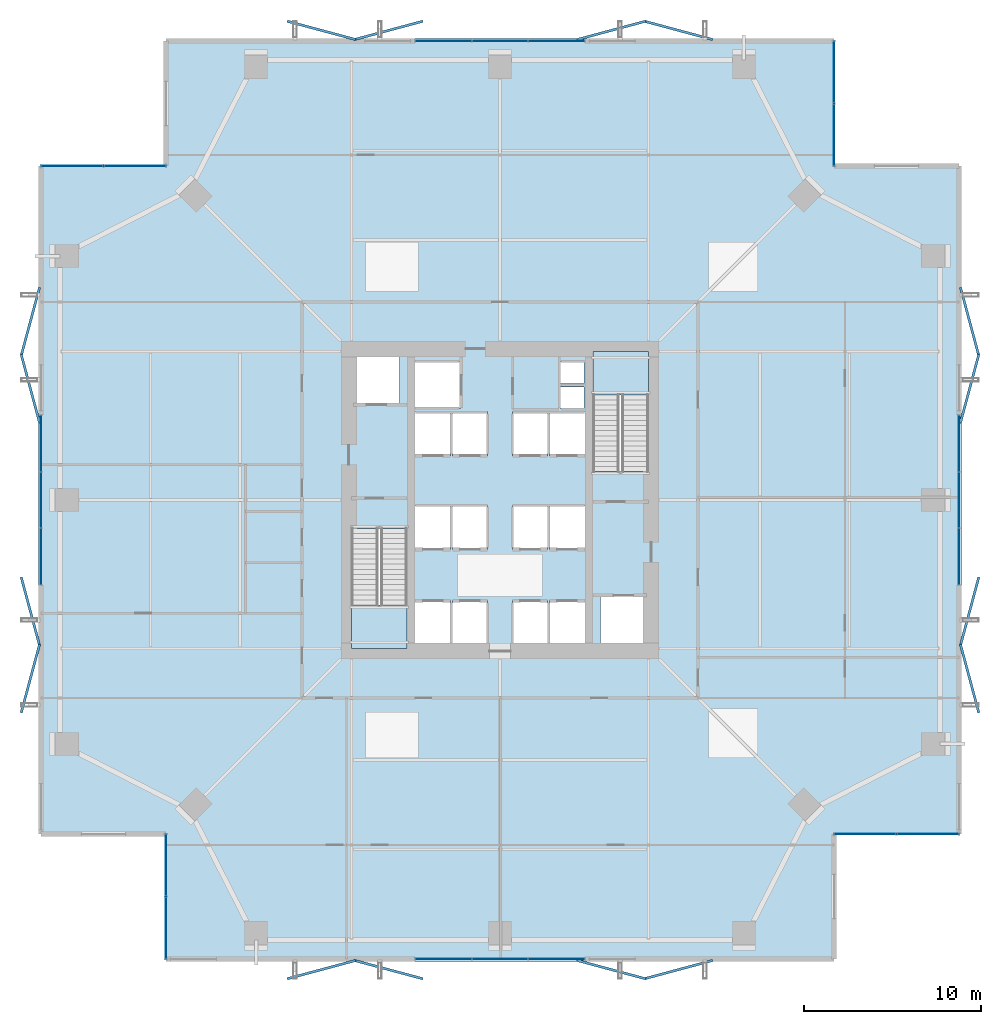
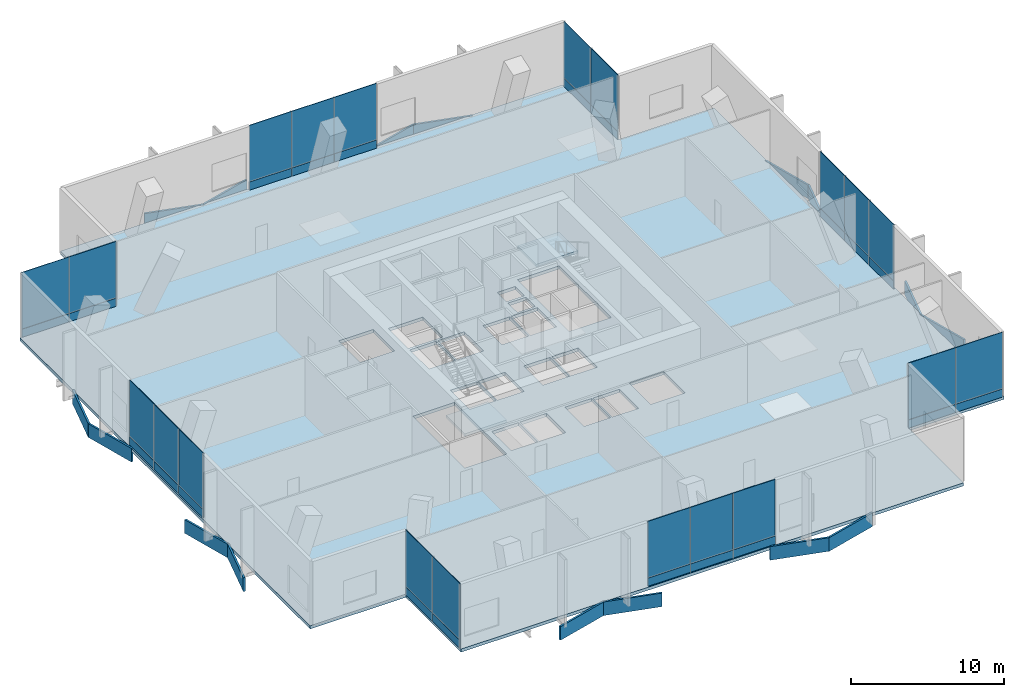
# One storey, part 23 of 28: 56 plates, 3 slabs, 10 elements without a shape of their own.
"""IFC4 building model written with IfcOpenShell, lengths in metres."""

from ifc_helpers import new_model, si_unit, direction, frame, origin, origin_2d, place, context, subcontext, project, spatial, polyline, rectangle, outline, extrude, material, layer, layer_set, type_object, element, aggregate, save


model = new_model("IFC4")

# Units and contexts
model_context = context("Model", 3, precision=1e-05, world=origin(), true_north=direction((0.0, 1.0)))
body_context = subcontext(model_context, "Body", "Model", "MODEL_VIEW")
ifc_project = project(units=[si_unit("LENGTHUNIT", "METRE"), si_unit("AREAUNIT", "SQUARE_METRE"), si_unit("VOLUMEUNIT", "CUBIC_METRE"), si_unit("PLANEANGLEUNIT", "RADIAN"), si_unit("MASSUNIT", "GRAM", prefix="KILO")], contexts=[model_context])

# Site, building, storey
site_placement = place(None, origin())
site = spatial("IfcSite", under=ifc_project, at=site_placement, CompositionType="ELEMENT")
building_placement = place(site_placement, origin())
building = spatial("IfcBuilding", under=site, at=building_placement, Name="Belovzor Exchange Tower", CompositionType="ELEMENT")
storey_placement = place(building_placement, frame((0.0, 0.0, 132.89990234375)))
storey = spatial("IfcBuildingStorey", under=building, at=storey_placement, Name="L32", CompositionType="ELEMENT", Elevation=132.89990234375)

# Curtain wall, plates
ifc_material_1 = material(Name="Anodised Aluminium Framing", Category="aluminium")
ifc_layer_1 = layer(ifc_material_1, 0.239990234375)
ifc_layer_set_1 = layer_set([ifc_layer_1], Name="Anodised Aluminium Framing")
curtain_wall_type_1 = type_object("IfcCurtainWallType", Name="Sky-Lobby Double-Skin Acoustic Curtain Wall", PredefinedType="NOTDEFINED", material=ifc_layer_set_1)
curtain_wall_1_placement = place(storey_placement, origin())
curtain_wall_1 = element("IfcCurtainWall", 1, at=curtain_wall_1_placement, inside=storey, type_object=curtain_wall_type_1, Name="CW4 Sky-Lobby Double-Skin Acoustic Curtain Wall L32", PredefinedType="NOTDEFINED")
ifc_material_2 = material(Name="Acoustic Laminated Triple Glazing", Category="glass")
ifc_layer_2 = layer(ifc_material_2, 0.048095703125)
ifc_layer_set_2 = layer_set([ifc_layer_2], Name="Acoustic Laminated Triple Glazing")
plate_type_1 = type_object("IfcPlateType", Name="Acoustic Laminated Curtain Panel 48", PredefinedType="CURTAIN_PANEL", material=ifc_layer_set_2)
plate_1_placement = place(storey_placement, frame((32.0, 2.830078125, 0.65185546875), z_axis=(0.0, 0.0, 1.0), x_axis=(-1.0, 0.0, 0.0)))
plate_1 = element("IfcPlate", 2, at=plate_1_placement, type_object=plate_type_1, Name="GLZ-48 Glazed Curtain Panel 1", PredefinedType="CURTAIN_PANEL", context=body_context, shape_type="SweptSolid", body=[
    extrude(rectangle(XDim=3.18408203125, YDim=0.048095703125, at=origin_2d()), origin(), (0.0, 0.0, 1.0), 4.492919921875),
])
plate_2_placement = place(storey_placement, frame((28.800048828125, 2.830078125, 0.65185546875), z_axis=(0.0, 0.0, 1.0), x_axis=(-1.0, 0.0, 0.0)))
plate_2 = element("IfcPlate", 3, at=plate_2_placement, type_object=plate_type_1, Name="GLZ-48 Glazed Curtain Panel 2", PredefinedType="CURTAIN_PANEL", context=body_context, shape_type="SweptSolid", body=[
    extrude(rectangle(XDim=3.18408203125, YDim=0.048095703125, at=origin_2d()), origin(), (0.0, 0.0, 1.0), 4.492919921875),
])
plate_3_placement = place(storey_placement, frame((25.60009765625, 2.830078125, 0.65185546875), z_axis=(0.0, 0.0, 1.0), x_axis=(-1.0, 0.0, 0.0)))
plate_3 = element("IfcPlate", 4, at=plate_3_placement, type_object=plate_type_1, Name="GLZ-48 Glazed Curtain Panel 3", PredefinedType="CURTAIN_PANEL", context=body_context, shape_type="SweptSolid", body=[
    extrude(rectangle(XDim=3.18408203125, YDim=0.048095703125, at=origin_2d()), origin(), (0.0, 0.0, 1.0), 4.492919921875),
])

curtain_wall_2_placement = place(storey_placement, origin())
curtain_wall_2 = element("IfcCurtainWall", 5, at=curtain_wall_2_placement, inside=storey, type_object=curtain_wall_type_1, Name="CW4 Sky-Lobby Double-Skin Acoustic Curtain Wall L32", PredefinedType="NOTDEFINED")
plate_4_placement = place(storey_placement, frame((25.60009765625, 54.77001953125, 0.65185546875), z_axis=(0.0, 0.0, 1.0), x_axis=(1.0, 0.0, 0.0)))
plate_4 = element("IfcPlate", 6, at=plate_4_placement, type_object=plate_type_1, Name="GLZ-48 Glazed Curtain Panel 1", PredefinedType="CURTAIN_PANEL", context=body_context, shape_type="SweptSolid", body=[
    extrude(rectangle(XDim=3.18408203125, YDim=0.048095703125, at=origin_2d()), origin(), (0.0, 0.0, 1.0), 4.492919921875),
])
plate_5_placement = place(storey_placement, frame((28.800048828125, 54.77001953125, 0.65185546875), z_axis=(0.0, 0.0, 1.0), x_axis=(1.0, 0.0, 0.0)))
plate_5 = element("IfcPlate", 7, at=plate_5_placement, type_object=plate_type_1, Name="GLZ-48 Glazed Curtain Panel 2", PredefinedType="CURTAIN_PANEL", context=body_context, shape_type="SweptSolid", body=[
    extrude(rectangle(XDim=3.18408203125, YDim=0.048095703125, at=origin_2d()), origin(), (0.0, 0.0, 1.0), 4.492919921875),
])
plate_6_placement = place(storey_placement, frame((32.0, 54.77001953125, 0.65185546875), z_axis=(0.0, 0.0, 1.0), x_axis=(1.0, 0.0, 0.0)))
plate_6 = element("IfcPlate", 8, at=plate_6_placement, type_object=plate_type_1, Name="GLZ-48 Glazed Curtain Panel 3", PredefinedType="CURTAIN_PANEL", context=body_context, shape_type="SweptSolid", body=[
    extrude(rectangle(XDim=3.18408203125, YDim=0.048095703125, at=origin_2d()), origin(), (0.0, 0.0, 1.0), 4.492919921875),
])

curtain_wall_3_placement = place(storey_placement, origin())
curtain_wall_3 = element("IfcCurtainWall", 9, at=curtain_wall_3_placement, inside=storey, type_object=curtain_wall_type_1, Name="CW4 Sky-Lobby Double-Skin Acoustic Curtain Wall L32", PredefinedType="NOTDEFINED")
plate_7_placement = place(storey_placement, frame((2.830078125, 25.60009765625, 0.65185546875), z_axis=(0.0, 0.0, 1.0), x_axis=(0.0, 1.0, 0.0)))
plate_7 = element("IfcPlate", 10, at=plate_7_placement, type_object=plate_type_1, Name="GLZ-48 Glazed Curtain Panel 1", PredefinedType="CURTAIN_PANEL", context=body_context, shape_type="SweptSolid", body=[
    extrude(rectangle(XDim=3.18408203125, YDim=0.048095703125, at=origin_2d()), origin(), (0.0, 0.0, 1.0), 4.492919921875),
])
plate_8_placement = place(storey_placement, frame((2.830078125, 28.800048828125, 0.65185546875), z_axis=(0.0, 0.0, 1.0), x_axis=(0.0, 1.0, 0.0)))
plate_8 = element("IfcPlate", 11, at=plate_8_placement, type_object=plate_type_1, Name="GLZ-48 Glazed Curtain Panel 2", PredefinedType="CURTAIN_PANEL", context=body_context, shape_type="SweptSolid", body=[
    extrude(rectangle(XDim=3.18408203125, YDim=0.048095703125, at=origin_2d()), origin(), (0.0, 0.0, 1.0), 4.492919921875),
])
plate_9_placement = place(storey_placement, frame((2.830078125, 32.0, 0.65185546875), z_axis=(0.0, 0.0, 1.0), x_axis=(0.0, 1.0, 0.0)))
plate_9 = element("IfcPlate", 12, at=plate_9_placement, type_object=plate_type_1, Name="GLZ-48 Glazed Curtain Panel 3", PredefinedType="CURTAIN_PANEL", context=body_context, shape_type="SweptSolid", body=[
    extrude(rectangle(XDim=3.18408203125, YDim=0.048095703125, at=origin_2d()), origin(), (0.0, 0.0, 1.0), 4.492919921875),
])

curtain_wall_4_placement = place(storey_placement, origin())
curtain_wall_4 = element("IfcCurtainWall", 13, at=curtain_wall_4_placement, inside=storey, type_object=curtain_wall_type_1, Name="CW4 Sky-Lobby Double-Skin Acoustic Curtain Wall L32", PredefinedType="NOTDEFINED")
plate_10_placement = place(storey_placement, frame((54.77001953125, 32.0, 0.65185546875), z_axis=(0.0, 0.0, 1.0), x_axis=(0.0, -1.0, 0.0)))
plate_10 = element("IfcPlate", 14, at=plate_10_placement, type_object=plate_type_1, Name="GLZ-48 Glazed Curtain Panel 1", PredefinedType="CURTAIN_PANEL", context=body_context, shape_type="SweptSolid", body=[
    extrude(rectangle(XDim=3.18408203125, YDim=0.048095703125, at=origin_2d()), origin(), (0.0, 0.0, 1.0), 4.492919921875),
])
plate_11_placement = place(storey_placement, frame((54.77001953125, 28.800048828125, 0.65185546875), z_axis=(0.0, 0.0, 1.0), x_axis=(0.0, -1.0, 0.0)))
plate_11 = element("IfcPlate", 15, at=plate_11_placement, type_object=plate_type_1, Name="GLZ-48 Glazed Curtain Panel 2", PredefinedType="CURTAIN_PANEL", context=body_context, shape_type="SweptSolid", body=[
    extrude(rectangle(XDim=3.18408203125, YDim=0.048095703125, at=origin_2d()), origin(), (0.0, 0.0, 1.0), 4.492919921875),
])
plate_12_placement = place(storey_placement, frame((54.77001953125, 25.60009765625, 0.65185546875), z_axis=(0.0, 0.0, 1.0), x_axis=(0.0, -1.0, 0.0)))
plate_12 = element("IfcPlate", 16, at=plate_12_placement, type_object=plate_type_1, Name="GLZ-48 Glazed Curtain Panel 3", PredefinedType="CURTAIN_PANEL", context=body_context, shape_type="SweptSolid", body=[
    extrude(rectangle(XDim=3.18408203125, YDim=0.048095703125, at=origin_2d()), origin(), (0.0, 0.0, 1.0), 4.492919921875),
])

# Slab
ifc_material_3 = material(Name="Concrete C40/50", Category="concrete")
ifc_layer_3 = layer(ifc_material_3, 0.25)
ifc_layer_set_3 = layer_set([ifc_layer_3], Name="Concrete C40/50")
slab_type_1 = type_object("IfcSlabType", Name="Composite Concrete Floor Deck Slab 250", PredefinedType="FLOOR", material=ifc_layer_set_3)
slab_1_placement = place(storey_placement, frame((0.0, 0.0, -0.25)))
element("IfcSlab", 17, at=slab_1_placement, inside=storey, type_object=slab_type_1, Name="SL-F250 Structural Slab L32", PredefinedType="FLOOR", context=body_context, shape_type="SweptSolid", body=[
    extrude(outline(polyline([(9.89990234375, 2.699951171875), (47.699951171875, 2.699951171875), (47.699951171875, 9.89990234375), (54.89990234375, 9.89990234375), (54.89990234375, 47.699951171875), (47.699951171875, 47.699951171875), (47.699951171875, 54.89990234375), (9.89990234375, 54.89990234375), (9.89990234375, 47.699951171875), (2.699951171875, 47.699951171875), (2.699951171875, 9.89990234375), (9.89990234375, 9.89990234375), (9.89990234375, 2.699951171875)]), holes=[polyline([(20.39990234375, 27.175048828125), (20.39990234375, 20.39990234375), (23.550048828125, 20.39990234375), (23.550048828125, 27.175048828125), (20.39990234375, 27.175048828125)]), polyline([(37.199951171875, 30.425048828125), (37.199951171875, 37.199951171875), (34.050048828125, 37.199951171875), (34.050048828125, 30.425048828125), (37.199951171875, 30.425048828125)]), polyline([(20.5, 34.199951171875), (23.10009765625, 34.199951171875), (23.10009765625, 37.0), (20.5, 37.0), (20.5, 34.199951171875)]), polyline([(34.5, 20.60009765625), (37.10009765625, 20.60009765625), (37.10009765625, 23.39990234375), (34.5, 23.39990234375), (34.5, 20.60009765625)]), polyline([(24.0, 34.0), (26.60009765625, 34.0), (26.60009765625, 36.60009765625), (24.0, 36.60009765625), (24.0, 34.0)]), polyline([(24.0, 20.60009765625), (26.0, 20.60009765625), (26.0, 23.10009765625), (24.0, 23.10009765625), (24.0, 20.60009765625)]), polyline([(26.10009765625, 20.60009765625), (28.10009765625, 20.60009765625), (28.10009765625, 23.10009765625), (26.10009765625, 23.10009765625), (26.10009765625, 20.60009765625)]), polyline([(29.5, 20.60009765625), (31.5, 20.60009765625), (31.5, 23.10009765625), (29.5, 23.10009765625), (29.5, 20.60009765625)]), polyline([(31.60009765625, 20.60009765625), (33.60009765625, 20.60009765625), (33.60009765625, 23.10009765625), (31.60009765625, 23.10009765625), (31.60009765625, 20.60009765625)]), polyline([(24.0, 26.0), (26.0, 26.0), (26.0, 28.5), (24.0, 28.5), (24.0, 26.0)]), polyline([(26.10009765625, 26.0), (28.10009765625, 26.0), (28.10009765625, 28.5), (26.10009765625, 28.5), (26.10009765625, 26.0)]), polyline([(29.5, 26.0), (31.5, 26.0), (31.5, 28.5), (29.5, 28.5), (29.5, 26.0)]), polyline([(31.60009765625, 26.0), (33.60009765625, 26.0), (33.60009765625, 28.5), (31.60009765625, 28.5), (31.60009765625, 26.0)]), polyline([(24.0, 31.300048828125), (26.0, 31.300048828125), (26.0, 33.800048828125), (24.0, 33.800048828125), (24.0, 31.300048828125)]), polyline([(26.10009765625, 31.300048828125), (28.10009765625, 31.300048828125), (28.10009765625, 33.800048828125), (26.10009765625, 33.800048828125), (26.10009765625, 31.300048828125)]), polyline([(29.5, 31.300048828125), (31.5, 31.300048828125), (31.5, 33.800048828125), (29.5, 33.800048828125), (29.5, 31.300048828125)]), polyline([(31.60009765625, 31.300048828125), (33.60009765625, 31.300048828125), (33.60009765625, 33.800048828125), (31.60009765625, 33.800048828125), (31.60009765625, 31.300048828125)]), polyline([(32.199951171875, 34.0), (33.550048828125, 34.0), (33.550048828125, 35.199951171875), (32.199951171875, 35.199951171875), (32.199951171875, 34.0)]), polyline([(32.199951171875, 35.39990234375), (33.550048828125, 35.39990234375), (33.550048828125, 36.60009765625), (32.199951171875, 36.60009765625), (32.199951171875, 35.39990234375)])]), origin(), (0.0, 0.0, 1.0), 0.25),
])

# Curtain wall, plates
ifc_material_4 = material(Name="Anodised Aluminium Framing", Category="aluminium")
ifc_layer_4 = layer(ifc_material_4, 0.195068359375)
ifc_layer_set_4 = layer_set([ifc_layer_4], Name="Anodised Aluminium Framing")
curtain_wall_type_2 = type_object("IfcCurtainWallType", Name="Notched Re-Entrant Corner Unitised Curtain Wall", PredefinedType="NOTDEFINED", material=ifc_layer_set_4)
curtain_wall_5_placement = place(storey_placement, origin())
curtain_wall_5 = element("IfcCurtainWall", 18, at=curtain_wall_5_placement, inside=storey, type_object=curtain_wall_type_2, Name="CW5 Notched Re-Entrant Corner Unitised Curtain Wall L32", PredefinedType="NOTDEFINED")
ifc_material_5 = material(Name="Solar-Control Triple Glazing", Category="glass")
ifc_layer_5 = layer(ifc_material_5, 0.0439453125)
ifc_layer_set_5 = layer_set([ifc_layer_5], Name="Solar-Control Triple Glazing")
plate_type_2 = type_object("IfcPlateType", Name="Insulated Solar Glazing Curtain Panel 44", PredefinedType="CURTAIN_PANEL", material=ifc_layer_set_5)
plate_13_placement = place(storey_placement, frame((9.89990234375, 4.597900390625, 0.65185546875), z_axis=(0.0, 0.0, 1.0), x_axis=(0.0, 1.0, 0.0)))
plate_13 = element("IfcPlate", 19, at=plate_13_placement, type_object=plate_type_2, Name="GLZ-44 Glazed Curtain Panel 1", PredefinedType="CURTAIN_PANEL", context=body_context, shape_type="SweptSolid", body=[
    extrude(rectangle(XDim=3.51904296875, YDim=0.0439453125, at=origin_2d()), origin(), (0.0, 0.0, 1.0), 4.492919921875),
])
plate_14_placement = place(storey_placement, frame((9.89990234375, 8.133056640625, 0.65185546875), z_axis=(0.0, 0.0, 1.0), x_axis=(0.0, 1.0, 0.0)))
plate_14 = element("IfcPlate", 20, at=plate_14_placement, type_object=plate_type_2, Name="GLZ-44 Glazed Curtain Panel 2", PredefinedType="CURTAIN_PANEL", context=body_context, shape_type="SweptSolid", body=[
    extrude(rectangle(XDim=3.51904296875, YDim=0.0439453125, at=origin_2d()), origin(), (0.0, 0.0, 1.0), 4.492919921875),
])

curtain_wall_6_placement = place(storey_placement, origin())
curtain_wall_6 = element("IfcCurtainWall", 21, at=curtain_wall_6_placement, inside=storey, type_object=curtain_wall_type_2, Name="CW5 Notched Re-Entrant Corner Unitised Curtain Wall L32", PredefinedType="NOTDEFINED")
plate_15_placement = place(storey_placement, frame((4.597900390625, 47.699951171875, 0.65185546875), z_axis=(0.0, 0.0, 1.0), x_axis=(1.0, 0.0, 0.0)))
plate_15 = element("IfcPlate", 22, at=plate_15_placement, type_object=plate_type_2, Name="GLZ-44 Glazed Curtain Panel 1", PredefinedType="CURTAIN_PANEL", context=body_context, shape_type="SweptSolid", body=[
    extrude(rectangle(XDim=3.51904296875, YDim=0.0439453125, at=origin_2d()), origin(), (0.0, 0.0, 1.0), 4.492919921875),
])
plate_16_placement = place(storey_placement, frame((8.133056640625, 47.699951171875, 0.65185546875), z_axis=(0.0, 0.0, 1.0), x_axis=(1.0, 0.0, 0.0)))
plate_16 = element("IfcPlate", 23, at=plate_16_placement, type_object=plate_type_2, Name="GLZ-44 Glazed Curtain Panel 2", PredefinedType="CURTAIN_PANEL", context=body_context, shape_type="SweptSolid", body=[
    extrude(rectangle(XDim=3.51904296875, YDim=0.0439453125, at=origin_2d()), origin(), (0.0, 0.0, 1.0), 4.492919921875),
])

curtain_wall_7_placement = place(storey_placement, origin())
curtain_wall_7 = element("IfcCurtainWall", 24, at=curtain_wall_7_placement, inside=storey, type_object=curtain_wall_type_2, Name="CW5 Notched Re-Entrant Corner Unitised Curtain Wall L32", PredefinedType="NOTDEFINED")
plate_17_placement = place(storey_placement, frame((47.699951171875, 53.0029296875, 0.65185546875), z_axis=(0.0, 0.0, 1.0), x_axis=(0.0, -1.0, 0.0)))
plate_17 = element("IfcPlate", 25, at=plate_17_placement, type_object=plate_type_2, Name="GLZ-44 Glazed Curtain Panel 1", PredefinedType="CURTAIN_PANEL", context=body_context, shape_type="SweptSolid", body=[
    extrude(rectangle(XDim=3.51904296875, YDim=0.0439453125, at=origin_2d()), origin(), (0.0, 0.0, 1.0), 4.492919921875),
])
plate_18_placement = place(storey_placement, frame((47.699951171875, 49.468017578125, 0.65185546875), z_axis=(0.0, 0.0, 1.0), x_axis=(0.0, -1.0, 0.0)))
plate_18 = element("IfcPlate", 26, at=plate_18_placement, type_object=plate_type_2, Name="GLZ-44 Glazed Curtain Panel 2", PredefinedType="CURTAIN_PANEL", context=body_context, shape_type="SweptSolid", body=[
    extrude(rectangle(XDim=3.51904296875, YDim=0.0439453125, at=origin_2d()), origin(), (0.0, 0.0, 1.0), 4.492919921875),
])

curtain_wall_8_placement = place(storey_placement, origin())
curtain_wall_8 = element("IfcCurtainWall", 27, at=curtain_wall_8_placement, inside=storey, type_object=curtain_wall_type_2, Name="CW5 Notched Re-Entrant Corner Unitised Curtain Wall L32", PredefinedType="NOTDEFINED")
plate_19_placement = place(storey_placement, frame((53.0029296875, 9.89990234375, 0.65185546875), z_axis=(0.0, 0.0, 1.0), x_axis=(-1.0, 0.0, 0.0)))
plate_19 = element("IfcPlate", 28, at=plate_19_placement, type_object=plate_type_2, Name="GLZ-44 Glazed Curtain Panel 1", PredefinedType="CURTAIN_PANEL", context=body_context, shape_type="SweptSolid", body=[
    extrude(rectangle(XDim=3.51904296875, YDim=0.0439453125, at=origin_2d()), origin(), (0.0, 0.0, 1.0), 4.492919921875),
])
plate_20_placement = place(storey_placement, frame((49.468017578125, 9.89990234375, 0.65185546875), z_axis=(0.0, 0.0, 1.0), x_axis=(-1.0, 0.0, 0.0)))
plate_20 = element("IfcPlate", 29, at=plate_20_placement, type_object=plate_type_2, Name="GLZ-44 Glazed Curtain Panel 2", PredefinedType="CURTAIN_PANEL", context=body_context, shape_type="SweptSolid", body=[
    extrude(rectangle(XDim=3.51904296875, YDim=0.0439453125, at=origin_2d()), origin(), (0.0, 0.0, 1.0), 4.492919921875),
])

# Plates
ifc_material_6 = material(Name="Extruded Architectural Terracotta", Category="masonry")
ifc_layer_6 = layer(ifc_material_6, 0.139892578125)
ifc_layer_set_6 = layer_set([ifc_layer_6], Name="Extruded Architectural Terracotta")
plate_type_3 = type_object("IfcPlateType", Name="Mid-Tower Folded Zigzag Terracotta Spandrel Louvre 120", PredefinedType="USERDEFINED", material=ifc_layer_set_6)
for number, where, z_axis, x_axis, name in (
    (30, (18.699951171875, 2.22998046875, -1.06494140625), (0.0, 0.0, 1.0), (0.965812803231, 0.259240485101, 0.0), "LVR-ZZ2 Zigzag Terracotta Spandrel Louvre L32 S1A"),
    (31, (22.5, 2.22998046875, -1.06494140625), (0.0, 0.0, 1.0), (0.965812803231, -0.259240485101, 0.0), "LVR-ZZ2 Zigzag Terracotta Spandrel Louvre L32 S1B"),
    (32, (18.699951171875, 55.3701171875, -1.06494140625), (0.0, 0.0, 1.0), (0.965812803231, -0.259240485101, 0.0), "LVR-ZZ2 Zigzag Terracotta Spandrel Louvre L32 N1A"),
    (33, (22.5, 55.3701171875, -1.06494140625), (0.0, 0.0, 1.0), (0.965812803231, 0.259240485101, 0.0), "LVR-ZZ2 Zigzag Terracotta Spandrel Louvre L32 N1B"),
    (34, (2.22998046875, 18.699951171875, -1.06494140625), (0.0, 0.0, 1.0), (0.259240485101, 0.965812803231, 0.0), "LVR-ZZ2 Zigzag Terracotta Spandrel Louvre L32 W1A"),
    (35, (2.22998046875, 22.5, -1.06494140625), (0.0, 0.0, 1.0), (-0.259240485101, 0.965812803231, 0.0), "LVR-ZZ2 Zigzag Terracotta Spandrel Louvre L32 W1B"),
    (36, (55.3701171875, 18.699951171875, -1.06494140625), (0.0, 0.0, 1.0), (-0.259240485101, 0.965812803231, 0.0), "LVR-ZZ2 Zigzag Terracotta Spandrel Louvre L32 E1A"),
    (37, (55.3701171875, 22.5, -1.06494140625), (0.0, 0.0, 1.0), (0.259240485101, 0.965812803231, 0.0), "LVR-ZZ2 Zigzag Terracotta Spandrel Louvre L32 E1B"),
    (38, (35.10009765625, 2.22998046875, -1.06494140625), (0.0, 0.0, 1.0), (0.965812803231, -0.259240485101, 0.0), "LVR-ZZ2 Zigzag Terracotta Spandrel Louvre L32 S2A"),
    (39, (38.89990234375, 2.22998046875, -1.06494140625), (0.0, 0.0, 1.0), (0.965812803231, 0.259240485101, 0.0), "LVR-ZZ2 Zigzag Terracotta Spandrel Louvre L32 S2B"),
    (40, (35.10009765625, 55.3701171875, -1.06494140625), (0.0, 0.0, 1.0), (0.965812803231, 0.259240485101, 0.0), "LVR-ZZ2 Zigzag Terracotta Spandrel Louvre L32 N2A"),
    (41, (38.89990234375, 55.3701171875, -1.06494140625), (0.0, 0.0, 1.0), (0.965812803231, -0.259240485101, 0.0), "LVR-ZZ2 Zigzag Terracotta Spandrel Louvre L32 N2B"),
    (42, (2.22998046875, 35.10009765625, -1.06494140625), (0.0, 0.0, 1.0), (-0.259240485101, 0.965812803231, 0.0), "LVR-ZZ2 Zigzag Terracotta Spandrel Louvre L32 W2A"),
    (43, (2.22998046875, 38.89990234375, -1.06494140625), (0.0, 0.0, 1.0), (0.259240485101, 0.965812803231, 0.0), "LVR-ZZ2 Zigzag Terracotta Spandrel Louvre L32 W2B"),
    (44, (55.3701171875, 35.10009765625, -1.06494140625), (0.0, 0.0, 1.0), (0.259240485101, 0.965812803231, 0.0), "LVR-ZZ2 Zigzag Terracotta Spandrel Louvre L32 E2A"),
    (45, (55.3701171875, 38.89990234375, -1.06494140625), (0.0, 0.0, 1.0), (-0.259240485101, 0.965812803231, 0.0), "LVR-ZZ2 Zigzag Terracotta Spandrel Louvre L32 E2B"),
):
    element("IfcPlate", number, at=place(storey_placement, frame(where, z_axis=z_axis, x_axis=x_axis)), inside=storey, type_object=plate_type_3, Name=name, ObjectType="SPANDREL_LOUVRE", PredefinedType="USERDEFINED", context=body_context, shape_type="SweptSolid", body=[
        extrude(rectangle(XDim=4.014892578125, YDim=0.139892578125, at=origin_2d()), origin(), (0.0, 0.0, 1.0), 1.080078125),
    ])

# Stair, slab
ifc_material_7 = material(Name="Concrete C40/50", Category="concrete")
stair_type = type_object("IfcStairType", Name="Reinforced Concrete Dogleg Escape Stair 1350", PredefinedType="HALF_TURN_STAIR", material=ifc_material_7)
stair_1_placement = place(storey_placement, origin())
stair_1 = element("IfcStair", 46, at=stair_1_placement, inside=storey, type_object=stair_type, Name="L32 ST-1", PredefinedType="HALF_TURN_STAIR")
ifc_material_8 = material(Name="Concrete C40/50", Category="concrete")
ifc_layer_7 = layer(ifc_material_8, 0.199951171875)
ifc_layer_set_7 = layer_set([ifc_layer_7], Name="Concrete C40/50")
slab_type_2 = type_object("IfcSlabType", Name="Reinforced Concrete Stair Half-Landing Slab 200", PredefinedType="LANDING", material=ifc_layer_set_7)
slab_2_placement = place(storey_placement, frame((0.0, 0.0, 2.5)))
slab_2 = element("IfcSlab", 47, at=slab_2_placement, type_object=slab_type_2, Name="ST-1 landing 1", PredefinedType="LANDING", context=body_context, shape_type="SweptSolid", body=[
    extrude(outline(polyline([(20.39990234375, 22.85009765625), (20.39990234375, 20.39990234375), (23.550048828125, 20.39990234375), (23.550048828125, 22.85009765625), (20.39990234375, 22.85009765625)])), origin(), (0.0, 0.0, 1.0), 0.2001953125),
])
aggregate(stair_1, [slab_2])

stair_2_placement = place(storey_placement, origin())
stair_2 = element("IfcStair", 48, at=stair_2_placement, inside=storey, type_object=stair_type, Name="L32 ST-2", PredefinedType="HALF_TURN_STAIR")
slab_3_placement = place(storey_placement, frame((0.0, 0.0, 2.5)))
slab_3 = element("IfcSlab", 49, at=slab_3_placement, type_object=slab_type_2, Name="ST-2 landing 1", PredefinedType="LANDING", context=body_context, shape_type="SweptSolid", body=[
    extrude(outline(polyline([(37.199951171875, 34.75), (37.199951171875, 37.199951171875), (34.050048828125, 37.199951171875), (34.050048828125, 34.75), (37.199951171875, 34.75)])), origin(), (0.0, 0.0, 1.0), 0.2001953125),
])
aggregate(stair_2, [slab_3])

# Plate
ifc_material_9 = material(Name="Extruded Architectural Terracotta", Category="masonry")
ifc_layer_8 = layer(ifc_material_9, 0.090087890625)
ifc_layer_set_8 = layer_set([ifc_layer_8], Name="Extruded Architectural Terracotta")
plate_type_4 = type_object("IfcPlateType", Name="Terracotta Shadow-Box Spandrel Panel 90", PredefinedType="CURTAIN_PANEL", material=ifc_layer_set_8)
plate_21_placement = place(storey_placement, frame((32.0, 2.830078125, 0.000244140625), z_axis=(0.0, 0.0, 1.0), x_axis=(-1.0, 0.0, 0.0)))
plate_21 = element("IfcPlate", 50, at=plate_21_placement, type_object=plate_type_4, Name="SPD-90 Spandrel Panel 1", PredefinedType="CURTAIN_PANEL", context=body_context, shape_type="SweptSolid", body=[
    extrude(rectangle(XDim=3.18408203125, YDim=0.090087890625, at=origin_2d()), origin(), (0.0, 0.0, 1.0), 0.64794921875),
])

plate_22_placement = place(storey_placement, frame((28.800048828125, 2.830078125, 0.000244140625), z_axis=(0.0, 0.0, 1.0), x_axis=(-1.0, 0.0, 0.0)))
plate_22 = element("IfcPlate", 51, at=plate_22_placement, type_object=plate_type_4, Name="SPD-90 Spandrel Panel 2", PredefinedType="CURTAIN_PANEL", context=body_context, shape_type="SweptSolid", body=[
    extrude(rectangle(XDim=3.18408203125, YDim=0.090087890625, at=origin_2d()), origin(), (0.0, 0.0, 1.0), 0.64794921875),
])

plate_23_placement = place(storey_placement, frame((25.60009765625, 2.830078125, 0.000244140625), z_axis=(0.0, 0.0, 1.0), x_axis=(-1.0, 0.0, 0.0)))
plate_23 = element("IfcPlate", 52, at=plate_23_placement, type_object=plate_type_4, Name="SPD-90 Spandrel Panel 3", PredefinedType="CURTAIN_PANEL", context=body_context, shape_type="SweptSolid", body=[
    extrude(rectangle(XDim=3.18408203125, YDim=0.090087890625, at=origin_2d()), origin(), (0.0, 0.0, 1.0), 0.64794921875),
])

aggregate(curtain_wall_1, [plate_21, plate_1, plate_22, plate_2, plate_23, plate_3])

plate_24_placement = place(storey_placement, frame((25.60009765625, 54.77001953125, 0.000244140625), z_axis=(0.0, 0.0, 1.0), x_axis=(1.0, 0.0, 0.0)))
plate_24 = element("IfcPlate", 53, at=plate_24_placement, type_object=plate_type_4, Name="SPD-90 Spandrel Panel 1", PredefinedType="CURTAIN_PANEL", context=body_context, shape_type="SweptSolid", body=[
    extrude(rectangle(XDim=3.18408203125, YDim=0.090087890625, at=origin_2d()), origin(), (0.0, 0.0, 1.0), 0.64794921875),
])

plate_25_placement = place(storey_placement, frame((28.800048828125, 54.77001953125, 0.000244140625), z_axis=(0.0, 0.0, 1.0), x_axis=(1.0, 0.0, 0.0)))
plate_25 = element("IfcPlate", 54, at=plate_25_placement, type_object=plate_type_4, Name="SPD-90 Spandrel Panel 2", PredefinedType="CURTAIN_PANEL", context=body_context, shape_type="SweptSolid", body=[
    extrude(rectangle(XDim=3.18408203125, YDim=0.090087890625, at=origin_2d()), origin(), (0.0, 0.0, 1.0), 0.64794921875),
])

plate_26_placement = place(storey_placement, frame((32.0, 54.77001953125, 0.000244140625), z_axis=(0.0, 0.0, 1.0), x_axis=(1.0, 0.0, 0.0)))
plate_26 = element("IfcPlate", 55, at=plate_26_placement, type_object=plate_type_4, Name="SPD-90 Spandrel Panel 3", PredefinedType="CURTAIN_PANEL", context=body_context, shape_type="SweptSolid", body=[
    extrude(rectangle(XDim=3.18408203125, YDim=0.090087890625, at=origin_2d()), origin(), (0.0, 0.0, 1.0), 0.64794921875),
])

aggregate(curtain_wall_2, [plate_24, plate_4, plate_25, plate_5, plate_26, plate_6])

plate_27_placement = place(storey_placement, frame((2.830078125, 25.60009765625, 0.000244140625), z_axis=(0.0, 0.0, 1.0), x_axis=(0.0, 1.0, 0.0)))
plate_27 = element("IfcPlate", 56, at=plate_27_placement, type_object=plate_type_4, Name="SPD-90 Spandrel Panel 1", PredefinedType="CURTAIN_PANEL", context=body_context, shape_type="SweptSolid", body=[
    extrude(rectangle(XDim=3.18408203125, YDim=0.090087890625, at=origin_2d()), origin(), (0.0, 0.0, 1.0), 0.64794921875),
])

plate_28_placement = place(storey_placement, frame((2.830078125, 28.800048828125, 0.000244140625), z_axis=(0.0, 0.0, 1.0), x_axis=(0.0, 1.0, 0.0)))
plate_28 = element("IfcPlate", 57, at=plate_28_placement, type_object=plate_type_4, Name="SPD-90 Spandrel Panel 2", PredefinedType="CURTAIN_PANEL", context=body_context, shape_type="SweptSolid", body=[
    extrude(rectangle(XDim=3.18408203125, YDim=0.090087890625, at=origin_2d()), origin(), (0.0, 0.0, 1.0), 0.64794921875),
])

plate_29_placement = place(storey_placement, frame((2.830078125, 32.0, 0.000244140625), z_axis=(0.0, 0.0, 1.0), x_axis=(0.0, 1.0, 0.0)))
plate_29 = element("IfcPlate", 58, at=plate_29_placement, type_object=plate_type_4, Name="SPD-90 Spandrel Panel 3", PredefinedType="CURTAIN_PANEL", context=body_context, shape_type="SweptSolid", body=[
    extrude(rectangle(XDim=3.18408203125, YDim=0.090087890625, at=origin_2d()), origin(), (0.0, 0.0, 1.0), 0.64794921875),
])

aggregate(curtain_wall_3, [plate_27, plate_7, plate_28, plate_8, plate_29, plate_9])

plate_30_placement = place(storey_placement, frame((54.77001953125, 32.0, 0.000244140625), z_axis=(0.0, 0.0, 1.0), x_axis=(0.0, -1.0, 0.0)))
plate_30 = element("IfcPlate", 59, at=plate_30_placement, type_object=plate_type_4, Name="SPD-90 Spandrel Panel 1", PredefinedType="CURTAIN_PANEL", context=body_context, shape_type="SweptSolid", body=[
    extrude(rectangle(XDim=3.18408203125, YDim=0.090087890625, at=origin_2d()), origin(), (0.0, 0.0, 1.0), 0.64794921875),
])

plate_31_placement = place(storey_placement, frame((54.77001953125, 28.800048828125, 0.000244140625), z_axis=(0.0, 0.0, 1.0), x_axis=(0.0, -1.0, 0.0)))
plate_31 = element("IfcPlate", 60, at=plate_31_placement, type_object=plate_type_4, Name="SPD-90 Spandrel Panel 2", PredefinedType="CURTAIN_PANEL", context=body_context, shape_type="SweptSolid", body=[
    extrude(rectangle(XDim=3.18408203125, YDim=0.090087890625, at=origin_2d()), origin(), (0.0, 0.0, 1.0), 0.64794921875),
])

plate_32_placement = place(storey_placement, frame((54.77001953125, 25.60009765625, 0.000244140625), z_axis=(0.0, 0.0, 1.0), x_axis=(0.0, -1.0, 0.0)))
plate_32 = element("IfcPlate", 61, at=plate_32_placement, type_object=plate_type_4, Name="SPD-90 Spandrel Panel 3", PredefinedType="CURTAIN_PANEL", context=body_context, shape_type="SweptSolid", body=[
    extrude(rectangle(XDim=3.18408203125, YDim=0.090087890625, at=origin_2d()), origin(), (0.0, 0.0, 1.0), 0.64794921875),
])

aggregate(curtain_wall_4, [plate_30, plate_10, plate_31, plate_11, plate_32, plate_12])

plate_33_placement = place(storey_placement, frame((9.89990234375, 4.597900390625, 0.000244140625), z_axis=(0.0, 0.0, 1.0), x_axis=(0.0, 1.0, 0.0)))
plate_33 = element("IfcPlate", 62, at=plate_33_placement, type_object=plate_type_4, Name="SPD-90 Spandrel Panel 1", PredefinedType="CURTAIN_PANEL", context=body_context, shape_type="SweptSolid", body=[
    extrude(rectangle(XDim=3.51904296875, YDim=0.090087890625, at=origin_2d()), origin(), (0.0, 0.0, 1.0), 0.64794921875),
])

plate_34_placement = place(storey_placement, frame((9.89990234375, 8.133056640625, 0.000244140625), z_axis=(0.0, 0.0, 1.0), x_axis=(0.0, 1.0, 0.0)))
plate_34 = element("IfcPlate", 63, at=plate_34_placement, type_object=plate_type_4, Name="SPD-90 Spandrel Panel 2", PredefinedType="CURTAIN_PANEL", context=body_context, shape_type="SweptSolid", body=[
    extrude(rectangle(XDim=3.51904296875, YDim=0.090087890625, at=origin_2d()), origin(), (0.0, 0.0, 1.0), 0.64794921875),
])

aggregate(curtain_wall_5, [plate_33, plate_13, plate_34, plate_14])

plate_35_placement = place(storey_placement, frame((4.597900390625, 47.699951171875, 0.000244140625), z_axis=(0.0, 0.0, 1.0), x_axis=(1.0, 0.0, 0.0)))
plate_35 = element("IfcPlate", 64, at=plate_35_placement, type_object=plate_type_4, Name="SPD-90 Spandrel Panel 1", PredefinedType="CURTAIN_PANEL", context=body_context, shape_type="SweptSolid", body=[
    extrude(rectangle(XDim=3.51904296875, YDim=0.090087890625, at=origin_2d()), origin(), (0.0, 0.0, 1.0), 0.64794921875),
])

plate_36_placement = place(storey_placement, frame((8.133056640625, 47.699951171875, 0.000244140625), z_axis=(0.0, 0.0, 1.0), x_axis=(1.0, 0.0, 0.0)))
plate_36 = element("IfcPlate", 65, at=plate_36_placement, type_object=plate_type_4, Name="SPD-90 Spandrel Panel 2", PredefinedType="CURTAIN_PANEL", context=body_context, shape_type="SweptSolid", body=[
    extrude(rectangle(XDim=3.51904296875, YDim=0.090087890625, at=origin_2d()), origin(), (0.0, 0.0, 1.0), 0.64794921875),
])

aggregate(curtain_wall_6, [plate_35, plate_15, plate_36, plate_16])

plate_37_placement = place(storey_placement, frame((47.699951171875, 53.0029296875, 0.000244140625), z_axis=(0.0, 0.0, 1.0), x_axis=(0.0, -1.0, 0.0)))
plate_37 = element("IfcPlate", 66, at=plate_37_placement, type_object=plate_type_4, Name="SPD-90 Spandrel Panel 1", PredefinedType="CURTAIN_PANEL", context=body_context, shape_type="SweptSolid", body=[
    extrude(rectangle(XDim=3.51904296875, YDim=0.090087890625, at=origin_2d()), origin(), (0.0, 0.0, 1.0), 0.64794921875),
])

plate_38_placement = place(storey_placement, frame((47.699951171875, 49.468017578125, 0.000244140625), z_axis=(0.0, 0.0, 1.0), x_axis=(0.0, -1.0, 0.0)))
plate_38 = element("IfcPlate", 67, at=plate_38_placement, type_object=plate_type_4, Name="SPD-90 Spandrel Panel 2", PredefinedType="CURTAIN_PANEL", context=body_context, shape_type="SweptSolid", body=[
    extrude(rectangle(XDim=3.51904296875, YDim=0.090087890625, at=origin_2d()), origin(), (0.0, 0.0, 1.0), 0.64794921875),
])

aggregate(curtain_wall_7, [plate_37, plate_17, plate_38, plate_18])

plate_39_placement = place(storey_placement, frame((53.0029296875, 9.89990234375, 0.000244140625), z_axis=(0.0, 0.0, 1.0), x_axis=(-1.0, 0.0, 0.0)))
plate_39 = element("IfcPlate", 68, at=plate_39_placement, type_object=plate_type_4, Name="SPD-90 Spandrel Panel 1", PredefinedType="CURTAIN_PANEL", context=body_context, shape_type="SweptSolid", body=[
    extrude(rectangle(XDim=3.51904296875, YDim=0.090087890625, at=origin_2d()), origin(), (0.0, 0.0, 1.0), 0.64794921875),
])

plate_40_placement = place(storey_placement, frame((49.468017578125, 9.89990234375, 0.000244140625), z_axis=(0.0, 0.0, 1.0), x_axis=(-1.0, 0.0, 0.0)))
plate_40 = element("IfcPlate", 69, at=plate_40_placement, type_object=plate_type_4, Name="SPD-90 Spandrel Panel 2", PredefinedType="CURTAIN_PANEL", context=body_context, shape_type="SweptSolid", body=[
    extrude(rectangle(XDim=3.51904296875, YDim=0.090087890625, at=origin_2d()), origin(), (0.0, 0.0, 1.0), 0.64794921875),
])

aggregate(curtain_wall_8, [plate_39, plate_19, plate_40, plate_20])

save(model, "model.ifc")
